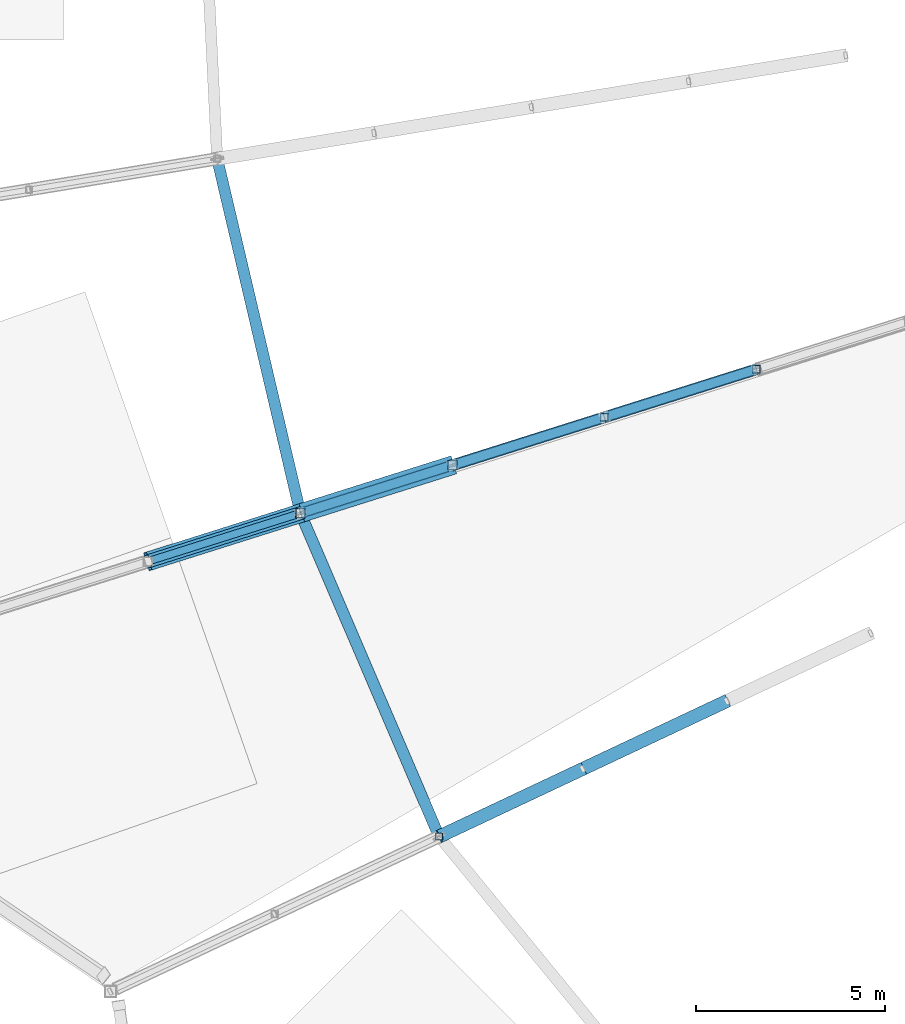
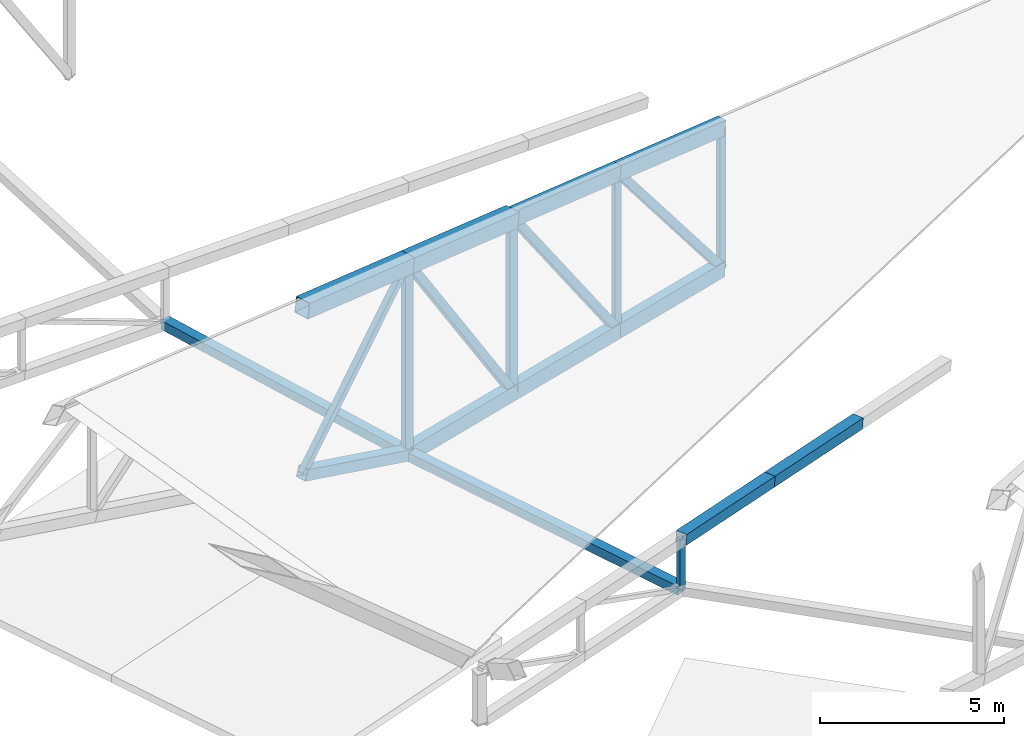
# One storey, part 9 of 188: 20 members.
"""IFC4 building model written with IfcOpenShell, lengths in metres."""

from ifc_helpers import new_model, si_unit, direction, frame, origin, origin_2d, place, context, subcontext, project, spatial, hollow_rectangle, extrude, material, material_profile, profile_set, type_object, element, save


model = new_model("IFC4")

# Units and contexts
model_context = context("Model", 3, precision=1e-05, world=origin(), true_north=direction((0.0, 1.0)))
body_context = subcontext(model_context, "Body", "Model", "MODEL_VIEW")
ifc_project = project(units=[si_unit("LENGTHUNIT", "METRE"), si_unit("AREAUNIT", "SQUARE_METRE"), si_unit("VOLUMEUNIT", "CUBIC_METRE"), si_unit("PLANEANGLEUNIT", "RADIAN"), si_unit("MASSUNIT", "GRAM", prefix="KILO")], contexts=[model_context])

# Site, building, storey
site_placement = place(None, origin())
site = spatial("IfcSite", under=ifc_project, at=site_placement, CompositionType="ELEMENT")
building_placement = place(site_placement, origin())
building = spatial("IfcBuilding", under=site, at=building_placement, Name="Meseta Stadium", CompositionType="ELEMENT")
storey_placement = place(building_placement, frame((0.0, 0.0, 30.0)))
storey = spatial("IfcBuildingStorey", under=building, at=storey_placement, Name="ROOF", CompositionType="ELEMENT", Elevation=30.0)

# Members
ifc_material_1 = material(Name="Steel S355", Category="steel")
ifc_material_profile_1 = material_profile(ifc_material_1, hollow_rectangle(XDim=0.300048828125, YDim=0.5, WallThickness=0.01611328125, at=origin_2d()), Name="RHS 500x300x16")
ifc_profile_set_1 = profile_set([ifc_material_profile_1], Name="Steel S355")
member_type_1 = type_object("IfcMemberType", Name="RHS 500x300x16 bottom chord", PredefinedType="CHORD", material=ifc_profile_set_1)
member_1_placement = place(storey_placement, frame((-70.041015625, -59.377197265625, 1.029541015625), z_axis=(-0.953197796459, -0.300952032874, 0.02901438842), x_axis=(0.301078788848, -0.953599267463, 0.0)))
element("IfcMember", 1, at=member_1_placement, inside=storey, type_object=member_type_1, Name="ROOF TRUSS RT-38 bottom chord", PredefinedType="CHORD", context=body_context, shape_type="SweptSolid", body=[
    extrude(hollow_rectangle(XDim=0.300048828125, YDim=0.5, WallThickness=0.01611328125, at=origin_2d()), origin(), (0.0, 0.0, 1.0), 4.22412109375),
])
member_2_placement = place(storey_placement, frame((-74.0673828125, -60.6484375, 1.152099609375), z_axis=(-0.953186863768, -0.300986604801, 0.029014935307), x_axis=(0.301113380118, -0.953588345312, 0.0)))
element("IfcMember", 2, at=member_2_placement, inside=storey, type_object=member_type_1, Name="ROOF TRUSS RT-38 bottom chord", PredefinedType="CHORD", context=body_context, shape_type="SweptSolid", body=[
    extrude(hollow_rectangle(XDim=0.300048828125, YDim=0.5, WallThickness=0.01611328125, at=origin_2d()), origin(), (0.0, 0.0, 1.0), 8.447998046875),
])
ifc_material_2 = material(Name="Steel S355", Category="steel")
ifc_material_profile_2 = material_profile(ifc_material_2, hollow_rectangle(XDim=0.300048828125, YDim=0.5, WallThickness=0.01611328125, at=origin_2d()), Name="RHS 500x300x16")
ifc_profile_set_2 = profile_set([ifc_material_profile_2], Name="Steel S355")
member_type_2 = type_object("IfcMemberType", Name="RHS 500x300x16 top chord", PredefinedType="CHORD", material=ifc_profile_set_2)
for number, where, z_axis, x_axis, name in (
    (3, (-70.041015625, -59.377197265625, 5.71826171875), (-0.941784516986, -0.297348531406, 0.156926015806), (0.301078788848, -0.953599267463, 0.0), "ROOF TRUSS RT-38 top chord"),
    (4, (-74.0673828125, -60.6484375, 6.38916015625), (-0.941770505325, -0.297419246361, 0.156876088662), (0.301147972296, -0.953577421493, 0.0), "ROOF TRUSS RT-38 top chord"),
):
    element("IfcMember", number, at=place(storey_placement, frame(where, z_axis=z_axis, x_axis=x_axis)), inside=storey, type_object=member_type_2, Name=name, PredefinedType="CHORD", context=body_context, shape_type="SweptSolid", body=[
        extrude(hollow_rectangle(XDim=0.300048828125, YDim=0.5, WallThickness=0.01611328125, at=origin_2d()), origin(), (0.0, 0.0, 1.0), 4.275146484375),
    ])
ifc_material_3 = material(Name="Steel S355", Category="steel")
ifc_material_profile_3 = material_profile(ifc_material_3, hollow_rectangle(XDim=0.179931640625, YDim=0.179931640625, WallThickness=0.00634765625, at=origin_2d()), Name="SHS 180x180x6.3")
ifc_profile_set_3 = profile_set([ifc_material_profile_3], Name="Steel S355")
member_type_3 = type_object("IfcMemberType", Name="SHS 180x180x6.3 post", PredefinedType="POST", material=ifc_profile_set_3)
member_3_placement = place(storey_placement, frame((-78.4453125, -71.756103515625, 0.785400390625), z_axis=(0.0, 0.0, 1.0), x_axis=(1.0, 0.0, 0.0)))
element("IfcMember", 5, at=member_3_placement, inside=storey, type_object=member_type_3, Name="ROOF TRUSS RT-39 post", PredefinedType="POST", context=body_context, shape_type="SweptSolid", body=[
    extrude(hollow_rectangle(XDim=0.179931640625, YDim=0.179931640625, WallThickness=0.00634765625, at=origin_2d()), origin(), (0.0, 0.0, 1.0), 1.6796875),
])
ifc_material_4 = material(Name="Steel S355", Category="steel")
ifc_material_profile_4 = material_profile(ifc_material_4, hollow_rectangle(XDim=0.199951171875, YDim=0.199951171875, WallThickness=0.008056640625, at=origin_2d()), Name="SHS 200x200x8")
ifc_profile_set_4 = profile_set([ifc_material_profile_4], Name="Steel S355")
member_type_4 = type_object("IfcMemberType", Name="SHS 200x200x8 diagonal", PredefinedType="BRACE", material=ifc_profile_set_4)
member_4_placement = place(storey_placement, frame((-82.119873046875, -63.191162109375, 7.73046875), z_axis=(-0.629316744407, -0.198725602784, -0.751311233782), x_axis=(0.301123099749, -0.953585276102, 0.0)))
element("IfcMember", 6, at=member_4_placement, inside=storey, type_object=member_type_4, Name="ROOF TRUSS RT-38 diagonal", PredefinedType="BRACE", context=body_context, shape_type="SweptSolid", body=[
    extrude(hollow_rectangle(XDim=0.199951171875, YDim=0.199951171875, WallThickness=0.008056640625, at=origin_2d()), origin(), (0.0, 0.0, 1.0), 6.424072265625),
])
ifc_material_5 = material(Name="Steel S355", Category="steel")
ifc_material_profile_5 = material_profile(ifc_material_5, hollow_rectangle(XDim=0.199951171875, YDim=0.199951171875, WallThickness=0.008056640625, at=origin_2d()), Name="SHS 200x200x8")
ifc_profile_set_5 = profile_set([ifc_material_profile_5], Name="Steel S355")
member_type_5 = type_object("IfcMemberType", Name="SHS 200x200x8 post", PredefinedType="POST", material=ifc_profile_set_5)
member_5_placement = place(storey_placement, frame((-70.041015625, -59.377197265625, 1.029541015625), z_axis=(0.0, 0.0, 1.0), x_axis=(1.0, 0.0, 0.0)))
element("IfcMember", 7, at=member_5_placement, inside=storey, type_object=member_type_5, Name="ROOF TRUSS RT-38 post", PredefinedType="POST", context=body_context, shape_type="SweptSolid", body=[
    extrude(hollow_rectangle(XDim=0.199951171875, YDim=0.199951171875, WallThickness=0.008056640625, at=origin_2d()), origin(), (0.0, 0.0, 1.0), 4.688720703125),
])
member_6_placement = place(storey_placement, frame((-74.0673828125, -60.6484375, 1.152099609375), z_axis=(0.0, 0.0, 1.0), x_axis=(1.0, 0.0, 0.0)))
element("IfcMember", 8, at=member_6_placement, inside=storey, type_object=member_type_5, Name="ROOF TRUSS RT-38 post", PredefinedType="POST", context=body_context, shape_type="SweptSolid", body=[
    extrude(hollow_rectangle(XDim=0.199951171875, YDim=0.199951171875, WallThickness=0.008056640625, at=origin_2d()), origin(), (0.0, 0.0, 1.0), 5.237060546875),
])
ifc_material_6 = material(Name="Steel S355", Category="steel")
ifc_material_profile_6 = material_profile(ifc_material_6, hollow_rectangle(XDim=0.25, YDim=0.25, WallThickness=0.010009765625, at=origin_2d()), Name="SHS 250x250x10")
ifc_profile_set_6 = profile_set([ifc_material_profile_6], Name="Steel S355")
member_type_6 = type_object("IfcMemberType", Name="SHS 250x250x10 diagonal", PredefinedType="BRACE", material=ifc_profile_set_6)
member_7_placement = place(storey_placement, frame((-70.041015625, -59.377197265625, 1.029541015625), z_axis=(-0.590117644506, -0.186317158316, 0.785523444691), x_axis=(0.301078788848, -0.953599267463, 0.0)))
element("IfcMember", 9, at=member_7_placement, inside=storey, type_object=member_type_6, Name="ROOF TRUSS RT-38 diagonal", PredefinedType="BRACE", context=body_context, shape_type="SweptSolid", body=[
    extrude(hollow_rectangle(XDim=0.25, YDim=0.25, WallThickness=0.010009765625, at=origin_2d()), origin(), (0.0, 0.0, 1.0), 6.822998046875),
])
member_8_placement = place(storey_placement, frame((-74.0673828125, -60.6484375, 1.152099609375), z_axis=(-0.554458091097, -0.175102646197, 0.813581765106), x_axis=(0.301147972296, -0.953577421493, 0.0)))
element("IfcMember", 10, at=member_8_placement, inside=storey, type_object=member_type_6, Name="ROOF TRUSS RT-38 diagonal", PredefinedType="BRACE", context=body_context, shape_type="SweptSolid", body=[
    extrude(hollow_rectangle(XDim=0.25, YDim=0.25, WallThickness=0.010009765625, at=origin_2d()), origin(), (0.0, 0.0, 1.0), 7.261474609375),
])
member_9_placement = place(storey_placement, frame((-78.093505859375, -61.919921875, 1.274658203125), z_axis=(-0.521958545703, -0.164797365236, 0.836899698279), x_axis=(0.301078788848, -0.953599267463, 0.0)))
element("IfcMember", 11, at=member_9_placement, inside=storey, type_object=member_type_6, Name="ROOF TRUSS RT-38 diagonal", PredefinedType="BRACE", context=body_context, shape_type="SweptSolid", body=[
    extrude(hollow_rectangle(XDim=0.25, YDim=0.25, WallThickness=0.010009765625, at=origin_2d()), origin(), (0.0, 0.0, 1.0), 7.7138671875),
])
ifc_material_7 = material(Name="Steel S355", Category="steel")
ifc_material_profile_7 = material_profile(ifc_material_7, hollow_rectangle(XDim=0.25, YDim=0.25, WallThickness=0.010009765625, at=origin_2d()), Name="SHS 250x250x10")
ifc_profile_set_7 = profile_set([ifc_material_profile_7], Name="Steel S355")
member_type_7 = type_object("IfcMemberType", Name="SHS 250x250x10 post", PredefinedType="POST", material=ifc_profile_set_7)
member_10_placement = place(storey_placement, frame((-78.093505859375, -61.919921875, 1.274658203125), z_axis=(0.0, 0.0, 1.0), x_axis=(1.0, 0.0, 0.0)))
element("IfcMember", 12, at=member_10_placement, inside=storey, type_object=member_type_7, Name="ROOF TRUSS RT-38 post", PredefinedType="POST", context=body_context, shape_type="SweptSolid", body=[
    extrude(hollow_rectangle(XDim=0.25, YDim=0.25, WallThickness=0.010009765625, at=origin_2d()), origin(), (0.0, 0.0, 1.0), 5.78515625),
])
member_11_placement = place(storey_placement, frame((-82.119873046875, -63.191162109375, 1.397216796875), z_axis=(0.0, 0.0, 1.0), x_axis=(1.0, 0.0, 0.0)))
element("IfcMember", 13, at=member_11_placement, inside=storey, type_object=member_type_7, Name="ROOF TRUSS RT-38 post", PredefinedType="POST", context=body_context, shape_type="SweptSolid", body=[
    extrude(hollow_rectangle(XDim=0.25, YDim=0.25, WallThickness=0.010009765625, at=origin_2d()), origin(), (0.0, 0.0, 1.0), 6.333251953125),
])
ifc_material_8 = material(Name="Steel S355", Category="steel")
ifc_material_profile_8 = material_profile(ifc_material_8, hollow_rectangle(XDim=0.300048828125, YDim=0.300048828125, WallThickness=0.010009765625, at=origin_2d()), Name="SHS 300x300x10")
ifc_profile_set_8 = profile_set([ifc_material_profile_8], Name="Steel S355")
member_type_8 = type_object("IfcMemberType", Name="SHS 300x300x10 pivot strut", PredefinedType="STRUT", material=ifc_profile_set_8)
member_12_placement = place(storey_placement, frame((-84.3251953125, -53.801513671875, 0.800048828125), z_axis=(0.228208708558, -0.971649167624, 0.061795472283), x_axis=(0.973509706739, 0.228645688533, 0.0)))
element("IfcMember", 14, at=member_12_placement, inside=storey, type_object=member_type_8, Name="ROOF PIVOT STRUT RT-37/38", PredefinedType="STRUT", context=body_context, shape_type="SweptSolid", body=[
    extrude(hollow_rectangle(XDim=0.300048828125, YDim=0.300048828125, WallThickness=0.010009765625, at=origin_2d()), origin(), (0.0, 0.0, 1.0), 9.66357421875),
])
member_13_placement = place(storey_placement, frame((-82.119873046875, -63.191162109375, 1.397216796875), z_axis=(0.393423397787, -0.91702077212, -0.065505217916), x_axis=(0.918994564063, 0.394270200779, 0.0)))
element("IfcMember", 15, at=member_13_placement, inside=storey, type_object=member_type_8, Name="ROOF PIVOT STRUT RT-38/39", PredefinedType="STRUT", context=body_context, shape_type="SweptSolid", body=[
    extrude(hollow_rectangle(XDim=0.300048828125, YDim=0.300048828125, WallThickness=0.010009765625, at=origin_2d()), origin(), (0.0, 0.0, 1.0), 9.33984375),
])
ifc_material_9 = material(Name="Steel S355", Category="steel")
ifc_material_profile_9 = material_profile(ifc_material_9, hollow_rectangle(XDim=0.35009765625, YDim=0.35009765625, WallThickness=0.010009765625, at=origin_2d()), Name="SHS 350x350x10")
ifc_profile_set_9 = profile_set([ifc_material_profile_9], Name="Steel S355")
member_type_9 = type_object("IfcMemberType", Name="SHS 350x350x10 bottom chord", PredefinedType="CHORD", material=ifc_profile_set_9)
member_14_placement = place(storey_placement, frame((-82.119873046875, -63.191162109375, 1.397216796875), z_axis=(-0.898518294151, -0.28373405158, 0.334902766562), x_axis=(0.301123099749, -0.953585276102, 0.0)))
element("IfcMember", 16, at=member_14_placement, inside=storey, type_object=member_type_9, Name="ROOF TRUSS RT-38 bottom chord", PredefinedType="CHORD", context=body_context, shape_type="SweptSolid", body=[
    extrude(hollow_rectangle(XDim=0.35009765625, YDim=0.35009765625, WallThickness=0.010009765625, at=origin_2d()), origin(), (0.0, 0.0, 1.0), 4.499267578125),
])
ifc_material_10 = material(Name="Steel S355", Category="steel")
ifc_material_profile_10 = material_profile(ifc_material_10, hollow_rectangle(XDim=0.35009765625, YDim=0.35009765625, WallThickness=0.010009765625, at=origin_2d()), Name="SHS 350x350x10")
ifc_profile_set_10 = profile_set([ifc_material_profile_10], Name="Steel S355")
member_type_10 = type_object("IfcMemberType", Name="SHS 350x350x10 top chord", PredefinedType="CHORD", material=ifc_profile_set_10)
for number, where, z_axis, x_axis, name in (
    (17, (-70.81494140625, -68.16162109375, 1.4912109375), (-0.89869213364, -0.423323273547, 0.114672817206), (0.426134347878, -0.904659890544, 0.0), "ROOF TRUSS RT-39 top chord"),
    (18, (-74.630126953125, -69.958740234375, 1.97802734375), (-0.898664326799, -0.423367682466, 0.114726776218), (0.426181724525, -0.904637572556, 0.0), "ROOF TRUSS RT-39 top chord"),
):
    element("IfcMember", number, at=place(storey_placement, frame(where, z_axis=z_axis, x_axis=x_axis)), inside=storey, type_object=member_type_10, Name=name, PredefinedType="CHORD", context=body_context, shape_type="SweptSolid", body=[
        extrude(hollow_rectangle(XDim=0.35009765625, YDim=0.35009765625, WallThickness=0.010009765625, at=origin_2d()), origin(), (0.0, 0.0, 1.0), 4.245361328125),
    ])
ifc_material_11 = material(Name="Steel S355", Category="steel")
ifc_material_profile_11 = material_profile(ifc_material_11, hollow_rectangle(XDim=0.5, YDim=0.5, WallThickness=0.01611328125, at=origin_2d()), Name="SHS 500x500x16")
ifc_profile_set_11 = profile_set([ifc_material_profile_11], Name="Steel S355")
member_type_11 = type_object("IfcMemberType", Name="SHS 500x500x16 top chord", PredefinedType="CHORD", material=ifc_profile_set_11)
member_15_placement = place(storey_placement, frame((-78.093505859375, -61.919921875, 7.059814453125), z_axis=(-0.941792955219, -0.297351195599, 0.156870315789), x_axis=(0.301078788848, -0.953599267463, 0.0)))
element("IfcMember", 19, at=member_15_placement, inside=storey, type_object=member_type_11, Name="ROOF TRUSS RT-38 top chord", PredefinedType="CHORD", context=body_context, shape_type="SweptSolid", body=[
    extrude(hollow_rectangle(XDim=0.5, YDim=0.5, WallThickness=0.01611328125, at=origin_2d()), origin(), (0.0, 0.0, 1.0), 4.275146484375),
])
member_16_placement = place(storey_placement, frame((-82.119873046875, -63.191162109375, 7.73046875), z_axis=(-0.9417724173, -0.297392835924, 0.156914674759), x_axis=(0.301123099749, -0.953585276102, 0.0)))
element("IfcMember", 20, at=member_16_placement, inside=storey, type_object=member_type_11, Name="ROOF TRUSS RT-38 top chord", PredefinedType="CHORD", context=body_context, shape_type="SweptSolid", body=[
    extrude(hollow_rectangle(XDim=0.5, YDim=0.5, WallThickness=0.01611328125, at=origin_2d()), origin(), (0.0, 0.0, 1.0), 4.292724609375),
])

save(model, "model.ifc")
